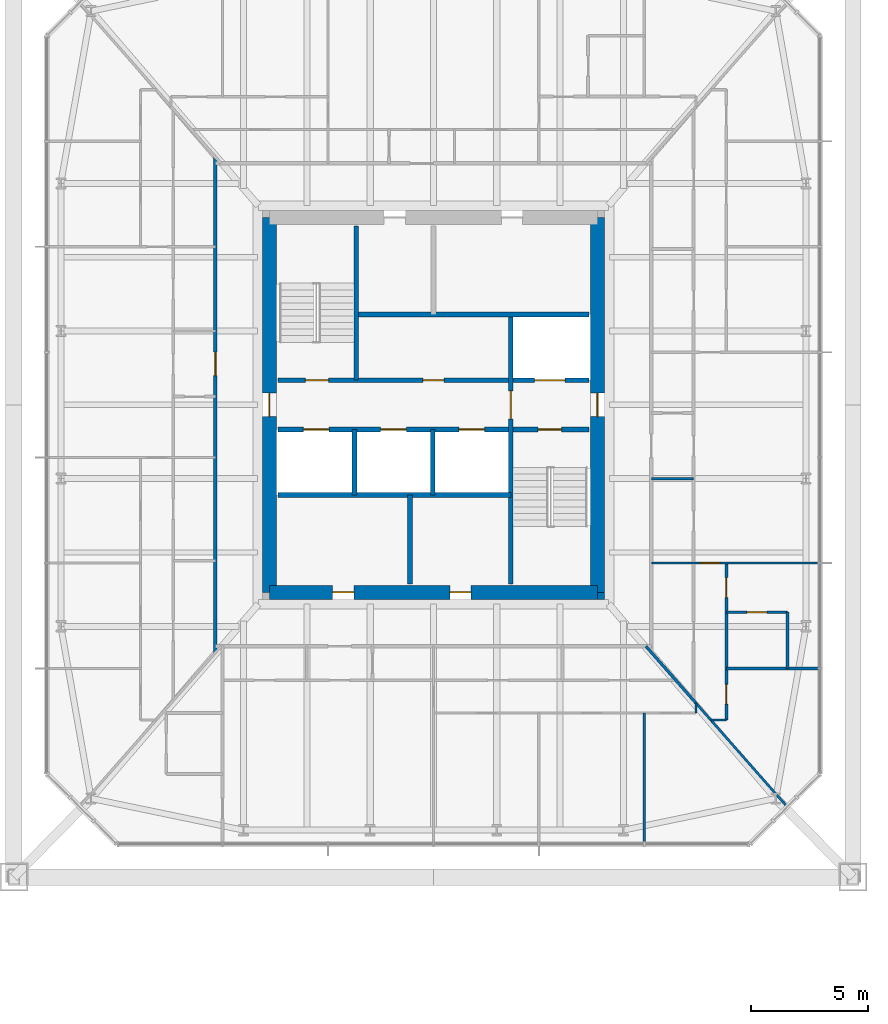
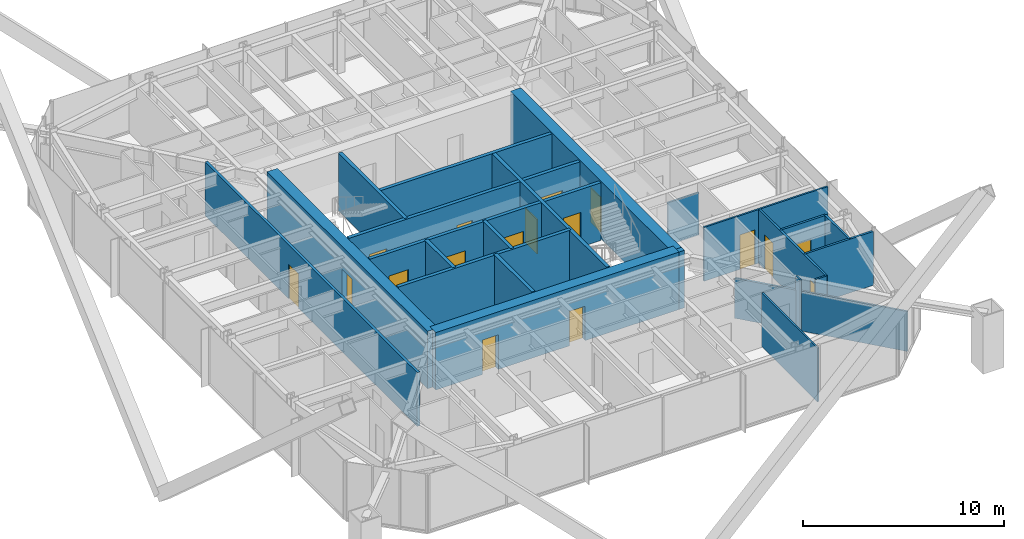
# One storey, part 20 of 27: 25 walls, 17 doors, 17 openings.
"""IFC4 building model written with IfcOpenShell, lengths in metres."""

from ifc_helpers import new_model, si_unit, direction, frame, frame_2d, origin, place, context, subcontext, project, spatial, rectangle, extrude, material, layer, layer_set, type_object, element, fill, save


model = new_model("IFC4")

# Units and contexts
model_context = context("Model", 3, precision=1e-05, world=origin(), true_north=direction((0.0, 1.0)))
body_context = subcontext(model_context, "Body", "Model", "MODEL_VIEW")
ifc_project = project(units=[si_unit("LENGTHUNIT", "METRE"), si_unit("AREAUNIT", "SQUARE_METRE"), si_unit("VOLUMEUNIT", "CUBIC_METRE"), si_unit("PLANEANGLEUNIT", "RADIAN"), si_unit("MASSUNIT", "GRAM", prefix="KILO")], contexts=[model_context])

# Site, building, storey
site_placement = place(None, origin())
site = spatial("IfcSite", under=ifc_project, at=site_placement, CompositionType="ELEMENT")
building_placement = place(site_placement, origin())
building = spatial("IfcBuilding", under=site, at=building_placement, Name="Iwan Alto Co-Living Towers", CompositionType="ELEMENT")
storey_placement = place(building_placement, frame((0.0, 0.0, 25.5)))
storey = spatial("IfcBuildingStorey", under=building, at=storey_placement, Name="L06", CompositionType="ELEMENT", Elevation=25.5)

# Wall, opening, door
ifc_material_1 = material(Name="Gypsum board")
ifc_layer_1 = layer(ifc_material_1, 0.02490234375, Name="Board", Category="Finish")
ifc_material_2 = material(Name="Steel ASTM A1003 ST33H cold-formed studs", Category="steel")
ifc_layer_2 = layer(ifc_material_2, 0.10009765625, Name="Studs", Category="Framing")
ifc_layer_3 = layer(ifc_material_1, 0.02490234375, Name="Board", Category="Finish")
ifc_layer_set_1 = layer_set([ifc_layer_1, ifc_layer_2, ifc_layer_3], Name="CORRIDOR WALL 150")
wall_type_1 = type_object("IfcWallType", Name="CORRIDOR WALL 150", PredefinedType="PARTITIONING", material=ifc_layer_set_1)
wall_1_placement = place(storey_placement, frame((53.699951171875, -10.568115234375, 0.0), z_axis=(0.0, 0.0, 1.0), x_axis=(0.0, 1.0, 0.0)))
wall_1 = element("IfcWall", 1, at=wall_1_placement, inside=storey, type_object=wall_type_1, Name="Partition L06", PredefinedType="PARTITIONING", context=body_context, shape_type="SweptSolid", body=[
    extrude(rectangle(XDim=21.13623046875, YDim=0.14990234375, at=frame_2d((10.568115234375, 0.0))), origin(), (0.0, 0.0, 1.0), 3.27001953125),
])
opening_1_placement = place(wall_1_placement, frame((11.818115234375, 0.0, 0.0)))
opening_1 = element("IfcOpeningElement", 2, at=opening_1_placement, cuts=wall_1, Name="Opening D3", PredefinedType="OPENING", context=body_context, shape_type="SweptSolid", body=[
    extrude(rectangle(XDim=1.0, YDim=2.10009765625, at=frame_2d((0.5, 1.050048828125))), frame((0.0, 0.0849609375, 0.0), z_axis=(0.0, -1.0, 0.0), x_axis=(1.0, 0.0, 0.0)), (0.0, 0.0, 1.0), 0.169921875),
])
ifc_material_3 = material(Name="Steel frame with timber leaf", Category="steel")
door_type_1 = type_object("IfcDoorType", Name="FLAT ENTRANCE DOOR FD30S 1000X2100", OperationType="SINGLE_SWING_LEFT", PredefinedType="DOOR", material=ifc_material_3)
door_1_placement = place(opening_1_placement, origin())
door_1 = element("IfcDoor", 3, at=door_1_placement, inside=storey, type_object=door_type_1, Name="Apartment foyer door L06", OperationType="SINGLE_SWING_LEFT", OverallHeight=2.10009765625, OverallWidth=1.0, PredefinedType="DOOR", context=body_context, shape_type="SweptSolid", body=[
    extrude(rectangle(XDim=1.0, YDim=2.10009765625, at=frame_2d((0.5, 1.050048828125))), frame((0.0, 0.02490234375, 0.0), z_axis=(0.0, -1.0, 0.0), x_axis=(1.0, 0.0, 0.0)), (0.0, 0.0, 1.0), 0.050048828125),
])
fill(opening_1, door_1)

# Wall
ifc_layer_4 = layer(ifc_material_1, 0.012451171875, Name="Board", Category="Finish")
ifc_layer_5 = layer(ifc_material_2, 0.074951171875, Name="Studs", Category="Framing")
ifc_layer_6 = layer(ifc_material_1, 0.012451171875, Name="Board", Category="Finish")
ifc_layer_set_2 = layer_set([ifc_layer_4, ifc_layer_5, ifc_layer_6], Name="PARTITION 100")
wall_type_2 = type_object("IfcWallType", Name="PARTITION 100", PredefinedType="PARTITIONING", material=ifc_layer_set_2)
wall_2_placement = place(storey_placement, frame((74.8359375, -13.449951171875, 0.0), z_axis=(0.0, 0.0, 1.0), x_axis=(1.0, 0.0, 0.0)))
element("IfcWall", 4, at=wall_2_placement, inside=storey, type_object=wall_type_2, Name="Partition L06", PredefinedType="PARTITIONING", context=body_context, shape_type="SweptSolid", body=[
    extrude(rectangle(XDim=0.6640625, YDim=0.10009765625, at=frame_2d((0.33203125, 0.0))), origin(), (0.0, 0.0, 1.0), 3.27001953125),
])

# Wall, opening, door
wall_3_placement = place(storey_placement, frame((72.300048828125, -6.75, 0.0), z_axis=(0.0, 0.0, 1.0), x_axis=(1.0, 0.0, 0.0)))
wall_3 = element("IfcWall", 5, at=wall_3_placement, inside=storey, type_object=wall_type_2, Name="Partition L06", PredefinedType="PARTITIONING", context=body_context, shape_type="SweptSolid", body=[
    extrude(rectangle(XDim=7.139892578125, YDim=0.10009765625, at=frame_2d((3.56982421875, 0.0))), origin(), (0.0, 0.0, 1.0), 3.27001953125),
])
opening_2_placement = place(wall_3_placement, frame((2.074951171875, 0.0, 0.0)))
opening_2 = element("IfcOpeningElement", 6, at=opening_2_placement, cuts=wall_3, Name="Opening D2", PredefinedType="OPENING", context=body_context, shape_type="SweptSolid", body=[
    extrude(rectangle(XDim=0.85009765625, YDim=2.10009765625, at=frame_2d((0.425048828125, 1.050048828125))), frame((0.0, 0.06005859375, 0.0), z_axis=(0.0, -1.0, 0.0), x_axis=(1.0, 0.0, 0.0)), (0.0, 0.0, 1.0), 0.1201171875),
])
ifc_material_4 = material(Name="Timber leaf in steel frame", Category="steel")
door_type_2 = type_object("IfcDoorType", Name="ROOM DOOR 850X2100", OperationType="SINGLE_SWING_LEFT", PredefinedType="DOOR", material=ifc_material_4)
door_2_placement = place(opening_2_placement, origin())
door_2 = element("IfcDoor", 7, at=door_2_placement, inside=storey, type_object=door_type_2, Name="Apartment hall door L06", OperationType="SINGLE_SWING_LEFT", OverallHeight=2.10009765625, OverallWidth=0.85009765625, PredefinedType="DOOR", context=body_context, shape_type="SweptSolid", body=[
    extrude(rectangle(XDim=0.85009765625, YDim=2.10009765625, at=frame_2d((0.425048828125, 1.050048828125))), frame((0.0, 0.02490234375, 0.0), z_axis=(0.0, -1.0, 0.0), x_axis=(1.0, 0.0, 0.0)), (0.0, 0.0, 1.0), 0.050048828125),
])
fill(opening_2, door_2)

# Walls
wall_4_placement = place(storey_placement, frame((72.300048828125, -3.14990234375, 0.0), z_axis=(0.0, 0.0, 1.0), x_axis=(1.0, 0.0, 0.0)))
element("IfcWall", 8, at=wall_4_placement, inside=storey, type_object=wall_type_2, Name="Partition L06", PredefinedType="PARTITIONING", context=body_context, shape_type="SweptSolid", body=[
    extrude(rectangle(XDim=1.800048828125, YDim=0.10009765625, at=frame_2d((0.89990234375, 0.0))), origin(), (0.0, 0.0, 1.0), 2.586669921875),
])
wall_5_placement = place(storey_placement, frame((74.199951171875, -13.14990234375, 0.0), z_axis=(0.0, 0.0, 1.0), x_axis=(0.0, 1.0, 0.0)))
element("IfcWall", 9, at=wall_5_placement, inside=storey, type_object=wall_type_2, Name="Partition L06", PredefinedType="PARTITIONING", context=body_context, shape_type="SweptSolid", body=[
    extrude(rectangle(XDim=0.4228515625, YDim=0.10009765625, at=frame_2d((0.21142578125, 0.0))), origin(), (0.0, 0.0, 1.0), 3.27001953125),
])
wall_6_placement = place(storey_placement, frame((72.0, -18.68994140625, 0.0), z_axis=(0.0, 0.0, 1.0), x_axis=(0.0, 1.0, 0.0)))
element("IfcWall", 10, at=wall_6_placement, inside=storey, type_object=wall_type_2, Name="Partition L06", PredefinedType="PARTITIONING", context=body_context, shape_type="SweptSolid", body=[
    extrude(rectangle(XDim=5.5400390625, YDim=0.10009765625, at=frame_2d((2.77001953125, 0.0))), origin(), (0.0, 0.0, 1.0), 3.27001953125),
])
wall_7_placement = place(storey_placement, frame((78.056884765625, -17.109130859375, 0.0), z_axis=(0.0, 0.0, 1.0), x_axis=(-0.660698595885, 0.750651294141, 0.0)))
element("IfcWall", 11, at=wall_7_placement, inside=storey, type_object=wall_type_2, Name="Partition L06", PredefinedType="PARTITIONING", context=body_context, shape_type="SweptSolid", body=[
    extrude(rectangle(XDim=5.838134765625, YDim=0.10009765625, at=frame_2d((2.9189453125, 0.0))), origin(), (0.0, 0.0, 1.0), 2.42919921875),
])
ifc_material_5 = material(Name="Concrete f'c 70 MPa", Category="concrete")
ifc_layer_7 = layer(ifc_material_5, 0.199951171875)
ifc_layer_set_3 = layer_set([ifc_layer_7], Name="SHAFT WALL 200")
wall_type_3 = type_object("IfcWallType", Name="SHAFT WALL 200", PredefinedType="SOLIDWALL", material=ifc_layer_set_3)
wall_8_placement = place(storey_placement, frame((56.360107421875, -3.85009765625, 0.0), z_axis=(0.0, 0.0, 1.0), x_axis=(1.0, 0.0, 0.0)))
element("IfcWall", 12, at=wall_8_placement, inside=storey, type_object=wall_type_3, Name="Shaft wall L06", PredefinedType="SOLIDWALL", context=body_context, shape_type="SweptSolid", body=[
    extrude(rectangle(XDim=9.93994140625, YDim=0.199951171875, at=frame_2d((4.969970703125, 0.0))), origin(), (0.0, 0.0, 1.0), 3.5),
])

# Wall, openings, doors
wall_9_placement = place(storey_placement, frame((56.360107421875, -1.050048828125, 0.0), z_axis=(0.0, 0.0, 1.0), x_axis=(1.0, 0.0, 0.0)))
wall_9 = element("IfcWall", 13, at=wall_9_placement, inside=storey, type_object=wall_type_3, Name="Shaft wall L06", PredefinedType="SOLIDWALL", context=body_context, shape_type="SweptSolid", body=[
    extrude(rectangle(XDim=13.27978515625, YDim=0.199951171875, at=frame_2d((6.639892578125, 0.0))), origin(), (0.0, 0.0, 1.0), 3.5),
])
opening_3_placement = place(wall_9_placement, frame((11.110107421875, 0.0, 0.0)))
opening_3 = element("IfcOpeningElement", 14, at=opening_3_placement, cuts=wall_9, Name="Opening D5", PredefinedType="OPENING", context=body_context, shape_type="SweptSolid", body=[
    extrude(rectangle(XDim=1.0, YDim=2.10009765625, at=frame_2d((0.5, 1.050048828125))), frame((0.0, 0.10986328125, 0.0), z_axis=(0.0, -1.0, 0.0), x_axis=(1.0, 0.0, 0.0)), (0.0, 0.0, 1.0), 0.219970703125),
])
opening_4_placement = place(wall_9_placement, frame((1.0869140625, 0.0, 0.0)))
opening_4 = element("IfcOpeningElement", 15, at=opening_4_placement, cuts=wall_9, Name="Opening LD", PredefinedType="OPENING", context=body_context, shape_type="SweptSolid", body=[
    extrude(rectangle(XDim=1.10009765625, YDim=2.10009765625, at=frame_2d((0.550048828125, 1.050048828125))), frame((0.0, 0.10986328125, 0.0), z_axis=(0.0, -1.0, 0.0), x_axis=(1.0, 0.0, 0.0)), (0.0, 0.0, 1.0), 0.219970703125),
])
opening_5_placement = place(wall_9_placement, frame((4.389892578125, 0.0, 0.0)))
opening_5 = element("IfcOpeningElement", 16, at=opening_5_placement, cuts=wall_9, Name="Opening LD", PredefinedType="OPENING", context=body_context, shape_type="SweptSolid", body=[
    extrude(rectangle(XDim=1.10009765625, YDim=2.10009765625, at=frame_2d((0.550048828125, 1.050048828125))), frame((0.0, 0.10986328125, 0.0), z_axis=(0.0, -1.0, 0.0), x_axis=(1.0, 0.0, 0.0)), (0.0, 0.0, 1.0), 0.219970703125),
])
opening_6_placement = place(wall_9_placement, frame((7.72412109375, 0.0, 0.0)))
opening_6 = element("IfcOpeningElement", 17, at=opening_6_placement, cuts=wall_9, Name="Opening LD", PredefinedType="OPENING", context=body_context, shape_type="SweptSolid", body=[
    extrude(rectangle(XDim=1.10009765625, YDim=2.10009765625, at=frame_2d((0.550048828125, 1.050048828125))), frame((0.0, 0.10986328125, 0.0), z_axis=(0.0, -1.0, 0.0), x_axis=(1.0, 0.0, 0.0)), (0.0, 0.0, 1.0), 0.219970703125),
])
ifc_material_6 = material(Name="Steel frame with timber leaf", Category="steel")
door_type_3 = type_object("IfcDoorType", Name="LIFT LANDING DOOR 1100X2100", OperationType="DOUBLE_DOOR_SLIDING", PredefinedType="DOOR", material=ifc_material_6)
door_3_placement = place(opening_4_placement, origin())
door_3 = element("IfcDoor", 18, at=door_3_placement, inside=storey, type_object=door_type_3, Name="Lift P5-1 landing door L06", OperationType="DOUBLE_DOOR_SLIDING", OverallHeight=2.10009765625, OverallWidth=1.10009765625, PredefinedType="DOOR", context=body_context, shape_type="SweptSolid", body=[
    extrude(rectangle(XDim=1.10009765625, YDim=2.10009765625, at=frame_2d((0.550048828125, 1.050048828125))), frame((0.0, 0.02490234375, 0.0), z_axis=(0.0, -1.0, 0.0), x_axis=(1.0, 0.0, 0.0)), (0.0, 0.0, 1.0), 0.050048828125),
])
fill(opening_4, door_3)
door_4_placement = place(opening_5_placement, origin())
door_4 = element("IfcDoor", 19, at=door_4_placement, inside=storey, type_object=door_type_3, Name="Lift P5-2 landing door L06", OperationType="DOUBLE_DOOR_SLIDING", OverallHeight=2.10009765625, OverallWidth=1.10009765625, PredefinedType="DOOR", context=body_context, shape_type="SweptSolid", body=[
    extrude(rectangle(XDim=1.10009765625, YDim=2.10009765625, at=frame_2d((0.550048828125, 1.050048828125))), frame((0.0, 0.02490234375, 0.0), z_axis=(0.0, -1.0, 0.0), x_axis=(1.0, 0.0, 0.0)), (0.0, 0.0, 1.0), 0.050048828125),
])
fill(opening_5, door_4)
door_5_placement = place(opening_6_placement, origin())
door_5 = element("IfcDoor", 20, at=door_5_placement, inside=storey, type_object=door_type_3, Name="Lift P6-3 landing door L06", OperationType="DOUBLE_DOOR_SLIDING", OverallHeight=2.10009765625, OverallWidth=1.10009765625, PredefinedType="DOOR", context=body_context, shape_type="SweptSolid", body=[
    extrude(rectangle(XDim=1.10009765625, YDim=2.10009765625, at=frame_2d((0.550048828125, 1.050048828125))), frame((0.0, 0.02490234375, 0.0), z_axis=(0.0, -1.0, 0.0), x_axis=(1.0, 0.0, 0.0)), (0.0, 0.0, 1.0), 0.050048828125),
])
fill(opening_6, door_5)
ifc_material_7 = material(Name="Steel frame with timber leaf", Category="steel")
door_type_4 = type_object("IfcDoorType", Name="STAIR DOOR FD120S 1000X2100", OperationType="SINGLE_SWING_LEFT", PredefinedType="DOOR", material=ifc_material_7)
door_6_placement = place(opening_3_placement, frame((1.0, 0.0, 0.0), z_axis=(0.0, 0.0, 1.0), x_axis=(-1.0, 0.0, 0.0)))
door_6 = element("IfcDoor", 21, at=door_6_placement, inside=storey, type_object=door_type_4, Name="Stair S2 door L06", OperationType="SINGLE_SWING_RIGHT", OverallHeight=2.10009765625, OverallWidth=1.0, PredefinedType="DOOR", context=body_context, shape_type="SweptSolid", body=[
    extrude(rectangle(XDim=1.0, YDim=2.10009765625, at=frame_2d((0.5, 1.050048828125))), frame((0.0, 0.02490234375, 0.0), z_axis=(0.0, -1.0, 0.0), x_axis=(1.0, 0.0, 0.0)), (0.0, 0.0, 1.0), 0.050048828125),
])
fill(opening_3, door_6)

wall_10_placement = place(storey_placement, frame((56.360107421875, 1.050048828125, 0.0), z_axis=(0.0, 0.0, 1.0), x_axis=(1.0, 0.0, 0.0)))
wall_10 = element("IfcWall", 22, at=wall_10_placement, inside=storey, type_object=wall_type_3, Name="Shaft wall L06", PredefinedType="SOLIDWALL", context=body_context, shape_type="SweptSolid", body=[
    extrude(rectangle(XDim=13.27978515625, YDim=0.199951171875, at=frame_2d((6.639892578125, 0.0))), origin(), (0.0, 0.0, 1.0), 3.5),
])
opening_7_placement = place(wall_10_placement, frame((1.169921875, 0.0, 0.0)))
opening_7 = element("IfcOpeningElement", 23, at=opening_7_placement, cuts=wall_10, Name="Opening D5", PredefinedType="OPENING", context=body_context, shape_type="SweptSolid", body=[
    extrude(rectangle(XDim=1.0, YDim=2.10009765625, at=frame_2d((0.5, 1.050048828125))), frame((0.0, 0.10986328125, 0.0), z_axis=(0.0, -1.0, 0.0), x_axis=(1.0, 0.0, 0.0)), (0.0, 0.0, 1.0), 0.219970703125),
])
opening_8_placement = place(wall_10_placement, frame((6.18994140625, 0.0, 0.0)))
opening_8 = element("IfcOpeningElement", 24, at=opening_8_placement, cuts=wall_10, Name="Opening D8", PredefinedType="OPENING", context=body_context, shape_type="SweptSolid", body=[
    extrude(rectangle(XDim=0.89990234375, YDim=2.10009765625, at=frame_2d((0.449951171875, 1.050048828125))), frame((0.0, 0.10986328125, 0.0), z_axis=(0.0, -1.0, 0.0), x_axis=(1.0, 0.0, 0.0)), (0.0, 0.0, 1.0), 0.219970703125),
])
opening_9_placement = place(wall_10_placement, frame((10.9599609375, 0.0, 0.0)))
opening_9 = element("IfcOpeningElement", 25, at=opening_9_placement, cuts=wall_10, Name="Opening LD2", PredefinedType="OPENING", context=body_context, shape_type="SweptSolid", body=[
    extrude(rectangle(XDim=1.300048828125, YDim=2.10009765625, at=frame_2d((0.64990234375, 1.050048828125))), frame((0.0, 0.10986328125, 0.0), z_axis=(0.0, -1.0, 0.0), x_axis=(1.0, 0.0, 0.0)), (0.0, 0.0, 1.0), 0.219970703125),
])
ifc_material_8 = material(Name="Steel frame with timber leaf", Category="steel")
door_type_5 = type_object("IfcDoorType", Name="LIFT LANDING DOOR 1300X2100", OperationType="SLIDING_TO_LEFT", PredefinedType="DOOR", material=ifc_material_8)
door_7_placement = place(opening_9_placement, origin())
door_7 = element("IfcDoor", 26, at=door_7_placement, inside=storey, type_object=door_type_5, Name="Lift FL2 landing door L06", OperationType="SLIDING_TO_LEFT", OverallHeight=2.10009765625, OverallWidth=1.300048828125, PredefinedType="DOOR", context=body_context, shape_type="SweptSolid", body=[
    extrude(rectangle(XDim=1.300048828125, YDim=2.10009765625, at=frame_2d((0.64990234375, 1.050048828125))), frame((0.0, 0.02490234375, 0.0), z_axis=(0.0, -1.0, 0.0), x_axis=(1.0, 0.0, 0.0)), (0.0, 0.0, 1.0), 0.050048828125),
])
fill(opening_9, door_7)
ifc_material_9 = material(Name="Steel frame with timber leaf", Category="steel")
door_type_6 = type_object("IfcDoorType", Name="RISER DOOR FD120 900X2100", OperationType="SINGLE_SWING_LEFT", PredefinedType="DOOR", material=ifc_material_9)
door_8_placement = place(opening_8_placement, origin())
door_8 = element("IfcDoor", 27, at=door_8_placement, inside=storey, type_object=door_type_6, Name="Riser room door L06", OperationType="SINGLE_SWING_LEFT", OverallHeight=2.10009765625, OverallWidth=0.89990234375, PredefinedType="DOOR", context=body_context, shape_type="SweptSolid", body=[
    extrude(rectangle(XDim=0.89990234375, YDim=2.10009765625, at=frame_2d((0.449951171875, 1.050048828125))), frame((0.0, 0.02490234375, 0.0), z_axis=(0.0, -1.0, 0.0), x_axis=(1.0, 0.0, 0.0)), (0.0, 0.0, 1.0), 0.050048828125),
])
fill(opening_8, door_8)
door_9_placement = place(opening_7_placement, origin())
door_9 = element("IfcDoor", 28, at=door_9_placement, inside=storey, type_object=door_type_4, Name="Stair S1 door L06", OperationType="SINGLE_SWING_RIGHT", OverallHeight=2.10009765625, OverallWidth=1.0, PredefinedType="DOOR", context=body_context, shape_type="SweptSolid", body=[
    extrude(rectangle(XDim=1.0, YDim=2.10009765625, at=frame_2d((0.5, 1.050048828125))), frame((0.0, 0.02490234375, 0.0), z_axis=(0.0, -1.0, 0.0), x_axis=(1.0, 0.0, 0.0)), (0.0, 0.0, 1.0), 0.050048828125),
])
fill(opening_7, door_9)

# Wall
wall_11_placement = place(storey_placement, frame((59.699951171875, 3.85009765625, 0.0), z_axis=(0.0, 0.0, 1.0), x_axis=(1.0, 0.0, 0.0)))
element("IfcWall", 29, at=wall_11_placement, inside=storey, type_object=wall_type_3, Name="Shaft wall L06", PredefinedType="SOLIDWALL", context=body_context, shape_type="SweptSolid", body=[
    extrude(rectangle(XDim=9.93994140625, YDim=0.199951171875, at=frame_2d((4.969970703125, 0.0))), origin(), (0.0, 0.0, 1.0), 3.5),
])

# Wall, opening, door
wall_12_placement = place(storey_placement, frame((66.300048828125, -7.639892578125, 0.0), z_axis=(0.0, 0.0, 1.0), x_axis=(0.0, 1.0, 0.0)))
wall_12 = element("IfcWall", 30, at=wall_12_placement, inside=storey, type_object=wall_type_3, Name="Shaft wall L06", PredefinedType="SOLIDWALL", context=body_context, shape_type="SweptSolid", body=[
    extrude(rectangle(XDim=11.489990234375, YDim=0.199951171875, at=frame_2d((5.7451171875, 0.0))), origin(), (0.0, 0.0, 1.0), 3.5),
])
opening_10_placement = place(wall_12_placement, frame((7.0400390625, 0.0, 0.0)))
opening_10 = element("IfcOpeningElement", 31, at=opening_10_placement, cuts=wall_12, Name="Opening D6", PredefinedType="OPENING", context=body_context, shape_type="SweptSolid", body=[
    extrude(rectangle(XDim=1.199951171875, YDim=2.10009765625, at=frame_2d((0.60009765625, 1.050048828125))), frame((0.0, 0.10986328125, 0.0), z_axis=(0.0, -1.0, 0.0), x_axis=(1.0, 0.0, 0.0)), (0.0, 0.0, 1.0), 0.219970703125),
])
ifc_material_10 = material(Name="Steel frame with timber leaf", Category="steel")
door_type_7 = type_object("IfcDoorType", Name="LOBBY DOOR FD120S 1200X2100", OperationType="SINGLE_SWING_LEFT", PredefinedType="DOOR", material=ifc_material_10)
door_10_placement = place(opening_10_placement, frame((1.199951171875, 0.0, 0.0), z_axis=(0.0, 0.0, 1.0), x_axis=(-1.0, 0.0, 0.0)))
door_10 = element("IfcDoor", 32, at=door_10_placement, inside=storey, type_object=door_type_7, Name="Firefighting lobby door L06", OperationType="SINGLE_SWING_RIGHT", OverallHeight=2.10009765625, OverallWidth=1.199951171875, PredefinedType="DOOR", context=body_context, shape_type="SweptSolid", body=[
    extrude(rectangle(XDim=1.199951171875, YDim=2.10009765625, at=frame_2d((0.60009765625, 1.050048828125))), frame((0.0, 0.02490234375, 0.0), z_axis=(0.0, -1.0, 0.0), x_axis=(1.0, 0.0, 0.0)), (0.0, 0.0, 1.0), 0.050048828125),
])
fill(opening_10, door_10)

# Walls
wall_13_placement = place(storey_placement, frame((62.967041015625, -3.85009765625, 0.0), z_axis=(0.0, 0.0, 1.0), x_axis=(0.0, 1.0, 0.0)))
element("IfcWall", 33, at=wall_13_placement, inside=storey, type_object=wall_type_3, Name="Shaft wall L06", PredefinedType="SOLIDWALL", context=body_context, shape_type="SweptSolid", body=[
    extrude(rectangle(XDim=2.800048828125, YDim=0.199951171875, at=frame_2d((1.39990234375, 0.0))), origin(), (0.0, 0.0, 1.0), 3.5),
])
wall_14_placement = place(storey_placement, frame((62.0, -7.639892578125, 0.0), z_axis=(0.0, 0.0, 1.0), x_axis=(0.0, 1.0, 0.0)))
element("IfcWall", 34, at=wall_14_placement, inside=storey, type_object=wall_type_3, Name="Shaft wall L06", PredefinedType="SOLIDWALL", context=body_context, shape_type="SweptSolid", body=[
    extrude(rectangle(XDim=3.789794921875, YDim=0.199951171875, at=frame_2d((1.89501953125, 0.0))), origin(), (0.0, 0.0, 1.0), 3.5),
])
wall_15_placement = place(storey_placement, frame((59.699951171875, 1.050048828125, 0.0), z_axis=(0.0, 0.0, 1.0), x_axis=(0.0, 1.0, 0.0)))
element("IfcWall", 35, at=wall_15_placement, inside=storey, type_object=wall_type_3, Name="Shaft wall L06", PredefinedType="SOLIDWALL", context=body_context, shape_type="SweptSolid", body=[
    extrude(rectangle(XDim=6.58984375, YDim=0.199951171875, at=frame_2d((3.294921875, 0.0))), origin(), (0.0, 0.0, 1.0), 3.5),
])
wall_16_placement = place(storey_placement, frame((59.633056640625, -3.85009765625, 0.0), z_axis=(0.0, 0.0, 1.0), x_axis=(0.0, 1.0, 0.0)))
element("IfcWall", 36, at=wall_16_placement, inside=storey, type_object=wall_type_3, Name="Shaft wall L06", PredefinedType="SOLIDWALL", context=body_context, shape_type="SweptSolid", body=[
    extrude(rectangle(XDim=2.800048828125, YDim=0.199951171875, at=frame_2d((1.39990234375, 0.0))), origin(), (0.0, 0.0, 1.0), 3.5),
])
ifc_material_11 = material(Name="Concrete f'c 70 MPa", Category="concrete")
ifc_layer_8 = layer(ifc_material_11, 0.300048828125)
ifc_layer_set_4 = layer_set([ifc_layer_8], Name="T2 CORE CORNER FILL 300")
wall_type_4 = type_object("IfcWallType", Name="T2 CORE CORNER FILL 300", PredefinedType="SOLIDWALL", material=ifc_layer_set_4)
wall_17_placement = place(storey_placement, frame((70.0, -8.14990234375, 0.0), z_axis=(0.0, 0.0, 1.0), x_axis=(1.0, 0.0, 0.0)))
element("IfcWall", 37, at=wall_17_placement, inside=storey, type_object=wall_type_4, Name="T2 core corner SE L06", PredefinedType="SOLIDWALL", context=body_context, shape_type="SweptSolid", body=[
    extrude(rectangle(XDim=0.300048828125, YDim=0.300048828125, at=frame_2d((0.14990234375, 0.0))), origin(), (0.0, 0.0, 1.0), 3.5),
])

# Wall, openings, doors
ifc_material_12 = material(Name="Concrete f'c 70 MPa", Category="concrete")
ifc_layer_9 = layer(ifc_material_12, 0.60009765625)
ifc_layer_set_5 = layer_set([ifc_layer_9], Name="T2 CORE WALL 600")
wall_type_5 = type_object("IfcWallType", Name="T2 CORE WALL 600", PredefinedType="SHEAR", material=ifc_layer_set_5)
wall_18_placement = place(storey_placement, frame((56.0, -8.0, 0.0), z_axis=(0.0, 0.0, 1.0), x_axis=(1.0, 0.0, 0.0)))
wall_18 = element("IfcWall", 38, at=wall_18_placement, inside=storey, type_object=wall_type_5, Name="T2 core wall S L06", PredefinedType="SHEAR", context=body_context, shape_type="SweptSolid", body=[
    extrude(rectangle(XDim=14.0, YDim=0.60009765625, at=frame_2d((7.0, 0.0))), origin(), (0.0, 0.0, 1.0), 3.5),
])
opening_11_placement = place(wall_18_placement, frame((2.699951171875, 0.0, 0.0)))
opening_11 = element("IfcOpeningElement", 39, at=opening_11_placement, cuts=wall_18, Name="Opening D8", PredefinedType="OPENING", context=body_context, shape_type="SweptSolid", body=[
    extrude(rectangle(XDim=0.89990234375, YDim=2.10009765625, at=frame_2d((0.449951171875, 1.050048828125))), frame((0.0, 0.31005859375, 0.0), z_axis=(0.0, -1.0, 0.0), x_axis=(1.0, 0.0, 0.0)), (0.0, 0.0, 1.0), 0.6201171875),
])
opening_12_placement = place(wall_18_placement, frame((7.699951171875, 0.0, 0.0)))
opening_12 = element("IfcOpeningElement", 40, at=opening_12_placement, cuts=wall_18, Name="Opening D8", PredefinedType="OPENING", context=body_context, shape_type="SweptSolid", body=[
    extrude(rectangle(XDim=0.89990234375, YDim=2.10009765625, at=frame_2d((0.449951171875, 1.050048828125))), frame((0.0, 0.31005859375, 0.0), z_axis=(0.0, -1.0, 0.0), x_axis=(1.0, 0.0, 0.0)), (0.0, 0.0, 1.0), 0.6201171875),
])
door_11_placement = place(opening_11_placement, origin())
door_11 = element("IfcDoor", 41, at=door_11_placement, inside=storey, type_object=door_type_6, Name="Refuse room core door L06", OperationType="SINGLE_SWING_LEFT", OverallHeight=2.10009765625, OverallWidth=0.89990234375, PredefinedType="DOOR", context=body_context, shape_type="SweptSolid", body=[
    extrude(rectangle(XDim=0.89990234375, YDim=2.10009765625, at=frame_2d((0.449951171875, 1.050048828125))), frame((0.0, 0.02490234375, 0.0), z_axis=(0.0, -1.0, 0.0), x_axis=(1.0, 0.0, 0.0)), (0.0, 0.0, 1.0), 0.050048828125),
])
fill(opening_11, door_11)
door_12_placement = place(opening_12_placement, origin())
door_12 = element("IfcDoor", 42, at=door_12_placement, inside=storey, type_object=door_type_6, Name="Telecom riser core door L06", OperationType="SINGLE_SWING_LEFT", OverallHeight=2.10009765625, OverallWidth=0.89990234375, PredefinedType="DOOR", context=body_context, shape_type="SweptSolid", body=[
    extrude(rectangle(XDim=0.89990234375, YDim=2.10009765625, at=frame_2d((0.449951171875, 1.050048828125))), frame((0.0, 0.02490234375, 0.0), z_axis=(0.0, -1.0, 0.0), x_axis=(1.0, 0.0, 0.0)), (0.0, 0.0, 1.0), 0.050048828125),
])
fill(opening_12, door_12)

# Wall, opening, door
wall_19_placement = place(storey_placement, frame((70.0, -8.0, 0.0), z_axis=(0.0, 0.0, 1.0), x_axis=(0.0, 1.0, 0.0)))
wall_19 = element("IfcWall", 43, at=wall_19_placement, inside=storey, type_object=wall_type_5, Name="T2 core wall E L06", PredefinedType="SHEAR", context=body_context, shape_type="SweptSolid", body=[
    extrude(rectangle(XDim=16.0, YDim=0.60009765625, at=frame_2d((8.0, 0.0))), origin(), (0.0, 0.0, 1.0), 3.5),
])
opening_13_placement = place(wall_19_placement, frame((7.5, 0.0, 0.0)))
opening_13 = element("IfcOpeningElement", 44, at=opening_13_placement, cuts=wall_19, Name="Opening D7", PredefinedType="OPENING", context=body_context, shape_type="SweptSolid", body=[
    extrude(rectangle(XDim=1.0, YDim=2.10009765625, at=frame_2d((0.5, 1.050048828125))), frame((0.0, 0.31005859375, 0.0), z_axis=(0.0, -1.0, 0.0), x_axis=(1.0, 0.0, 0.0)), (0.0, 0.0, 1.0), 0.6201171875),
])
ifc_material_13 = material(Name="Steel frame with timber leaf", Category="steel")
door_type_8 = type_object("IfcDoorType", Name="CORE DOOR FD120S 1000X2100", OperationType="SINGLE_SWING_LEFT", PredefinedType="DOOR", material=ifc_material_13)
door_13_placement = place(opening_13_placement, origin())
door_13 = element("IfcDoor", 45, at=door_13_placement, inside=storey, type_object=door_type_8, Name="Firefighting lobby core door L06", OperationType="SINGLE_SWING_LEFT", OverallHeight=2.10009765625, OverallWidth=1.0, PredefinedType="DOOR", context=body_context, shape_type="SweptSolid", body=[
    extrude(rectangle(XDim=1.0, YDim=2.10009765625, at=frame_2d((0.5, 1.050048828125))), frame((0.0, 0.02490234375, 0.0), z_axis=(0.0, -1.0, 0.0), x_axis=(1.0, 0.0, 0.0)), (0.0, 0.0, 1.0), 0.050048828125),
])
fill(opening_13, door_13)

wall_20_placement = place(storey_placement, frame((56.0, 8.0, 0.0), z_axis=(0.0, 0.0, 1.0), x_axis=(0.0, -1.0, 0.0)))
wall_20 = element("IfcWall", 46, at=wall_20_placement, inside=storey, type_object=wall_type_5, Name="T2 core wall W L06", PredefinedType="SHEAR", context=body_context, shape_type="SweptSolid", body=[
    extrude(rectangle(XDim=16.0, YDim=0.60009765625, at=frame_2d((8.0, 0.0))), origin(), (0.0, 0.0, 1.0), 3.5),
])
opening_14_placement = place(wall_20_placement, frame((7.5, 0.0, 0.0)))
opening_14 = element("IfcOpeningElement", 47, at=opening_14_placement, cuts=wall_20, Name="Opening D7", PredefinedType="OPENING", context=body_context, shape_type="SweptSolid", body=[
    extrude(rectangle(XDim=1.0, YDim=2.10009765625, at=frame_2d((0.5, 1.050048828125))), frame((0.0, 0.31005859375, 0.0), z_axis=(0.0, -1.0, 0.0), x_axis=(1.0, 0.0, 0.0)), (0.0, 0.0, 1.0), 0.6201171875),
])
door_14_placement = place(opening_14_placement, origin())
door_14 = element("IfcDoor", 48, at=door_14_placement, inside=storey, type_object=door_type_8, Name="Lift lobby core door L06", OperationType="SINGLE_SWING_RIGHT", OverallHeight=2.10009765625, OverallWidth=1.0, PredefinedType="DOOR", context=body_context, shape_type="SweptSolid", body=[
    extrude(rectangle(XDim=1.0, YDim=2.10009765625, at=frame_2d((0.5, 1.050048828125))), frame((0.0, 0.02490234375, 0.0), z_axis=(0.0, -1.0, 0.0), x_axis=(1.0, 0.0, 0.0)), (0.0, 0.0, 1.0), 0.050048828125),
])
fill(opening_14, door_14)

# Wall
ifc_material_14 = material(Name="Cement board")
ifc_layer_10 = layer(ifc_material_14, 0.012451171875, Name="Board", Category="Finish")
ifc_layer_11 = layer(ifc_material_2, 0.094970703125, Name="Studs", Category="Framing")
ifc_layer_12 = layer(ifc_material_14, 0.012451171875, Name="Board", Category="Finish")
ifc_layer_set_6 = layer_set([ifc_layer_10, ifc_layer_11, ifc_layer_12], Name="WET AREA PARTITION 120")
wall_type_6 = type_object("IfcWallType", Name="WET AREA PARTITION 120", PredefinedType="PARTITIONING", material=ifc_layer_set_6)
wall_21_placement = place(storey_placement, frame((75.5, -11.25, 0.0), z_axis=(0.0, 0.0, 1.0), x_axis=(1.0, 0.0, 0.0)))
element("IfcWall", 49, at=wall_21_placement, inside=storey, type_object=wall_type_6, Name="Partition L06", PredefinedType="PARTITIONING", context=body_context, shape_type="SweptSolid", body=[
    extrude(rectangle(XDim=3.93994140625, YDim=0.1201171875, at=frame_2d((1.969970703125, 0.0))), origin(), (0.0, 0.0, 1.0), 3.27001953125),
])

# Wall, opening, door
wall_22_placement = place(storey_placement, frame((75.5, -8.85009765625, 0.0), z_axis=(0.0, 0.0, 1.0), x_axis=(1.0, 0.0, 0.0)))
wall_22 = element("IfcWall", 50, at=wall_22_placement, inside=storey, type_object=wall_type_6, Name="Partition L06", PredefinedType="PARTITIONING", context=body_context, shape_type="SweptSolid", body=[
    extrude(rectangle(XDim=2.60009765625, YDim=0.1201171875, at=frame_2d((1.300048828125, 0.0))), origin(), (0.0, 0.0, 1.0), 3.27001953125),
])
opening_15_placement = place(wall_22_placement, frame((0.875, 0.0, 0.0)))
opening_15 = element("IfcOpeningElement", 51, at=opening_15_placement, cuts=wall_22, Name="Opening D2", PredefinedType="OPENING", context=body_context, shape_type="SweptSolid", body=[
    extrude(rectangle(XDim=0.85009765625, YDim=2.10009765625, at=frame_2d((0.425048828125, 1.050048828125))), frame((0.0, 0.070068359375, 0.0), z_axis=(0.0, -1.0, 0.0), x_axis=(1.0, 0.0, 0.0)), (0.0, 0.0, 1.0), 0.14013671875),
])
door_15_placement = place(opening_15_placement, origin())
door_15 = element("IfcDoor", 52, at=door_15_placement, inside=storey, type_object=door_type_2, Name="En-suite shower room door L06", OperationType="SINGLE_SWING_LEFT", OverallHeight=2.10009765625, OverallWidth=0.85009765625, PredefinedType="DOOR", context=body_context, shape_type="SweptSolid", body=[
    extrude(rectangle(XDim=0.85009765625, YDim=2.10009765625, at=frame_2d((0.425048828125, 1.050048828125))), frame((0.0, 0.02490234375, 0.0), z_axis=(0.0, -1.0, 0.0), x_axis=(1.0, 0.0, 0.0)), (0.0, 0.0, 1.0), 0.050048828125),
])
fill(opening_15, door_15)

# Wall
wall_23_placement = place(storey_placement, frame((78.10009765625, -11.25, 0.0), z_axis=(0.0, 0.0, 1.0), x_axis=(0.0, 1.0, 0.0)))
element("IfcWall", 53, at=wall_23_placement, inside=storey, type_object=wall_type_6, Name="Partition L06", PredefinedType="PARTITIONING", context=body_context, shape_type="SweptSolid", body=[
    extrude(rectangle(XDim=2.39990234375, YDim=0.1201171875, at=frame_2d((1.199951171875, 0.0))), origin(), (0.0, 0.0, 1.0), 3.27001953125),
])

# Wall, openings, doors
wall_24_placement = place(storey_placement, frame((75.5, -13.449951171875, 0.0), z_axis=(0.0, 0.0, 1.0), x_axis=(0.0, 1.0, 0.0)))
wall_24 = element("IfcWall", 54, at=wall_24_placement, inside=storey, type_object=wall_type_6, Name="Partition L06", PredefinedType="PARTITIONING", context=body_context, shape_type="SweptSolid", body=[
    extrude(rectangle(XDim=6.699951171875, YDim=0.1201171875, at=frame_2d((3.35009765625, 0.0))), origin(), (0.0, 0.0, 1.0), 3.27001953125),
])
opening_16_placement = place(wall_24_placement, frame((5.22509765625, 0.0, 0.0)))
opening_16 = element("IfcOpeningElement", 55, at=opening_16_placement, cuts=wall_24, Name="Opening D2", PredefinedType="OPENING", context=body_context, shape_type="SweptSolid", body=[
    extrude(rectangle(XDim=0.85009765625, YDim=2.10009765625, at=frame_2d((0.425048828125, 1.050048828125))), frame((0.0, 0.070068359375, 0.0), z_axis=(0.0, -1.0, 0.0), x_axis=(1.0, 0.0, 0.0)), (0.0, 0.0, 1.0), 0.14013671875),
])
opening_17_placement = place(wall_24_placement, frame((0.675048828125, 0.0, 0.0)))
opening_17 = element("IfcOpeningElement", 56, at=opening_17_placement, cuts=wall_24, Name="Opening D2", PredefinedType="OPENING", context=body_context, shape_type="SweptSolid", body=[
    extrude(rectangle(XDim=0.85009765625, YDim=2.10009765625, at=frame_2d((0.425048828125, 1.050048828125))), frame((0.0, 0.070068359375, 0.0), z_axis=(0.0, -1.0, 0.0), x_axis=(1.0, 0.0, 0.0)), (0.0, 0.0, 1.0), 0.14013671875),
])
door_16_placement = place(opening_16_placement, frame((0.85009765625, 0.0, 0.0), z_axis=(0.0, 0.0, 1.0), x_axis=(-1.0, 0.0, 0.0)))
door_16 = element("IfcDoor", 57, at=door_16_placement, inside=storey, type_object=door_type_2, Name="Bedroom door L06", OperationType="SINGLE_SWING_RIGHT", OverallHeight=2.10009765625, OverallWidth=0.85009765625, PredefinedType="DOOR", context=body_context, shape_type="SweptSolid", body=[
    extrude(rectangle(XDim=0.85009765625, YDim=2.10009765625, at=frame_2d((0.425048828125, 1.050048828125))), frame((0.0, 0.02490234375, 0.0), z_axis=(0.0, -1.0, 0.0), x_axis=(1.0, 0.0, 0.0)), (0.0, 0.0, 1.0), 0.050048828125),
])
fill(opening_16, door_16)
door_17_placement = place(opening_17_placement, frame((0.85009765625, 0.0, 0.0), z_axis=(0.0, 0.0, 1.0), x_axis=(-1.0, 0.0, 0.0)))
door_17 = element("IfcDoor", 58, at=door_17_placement, inside=storey, type_object=door_type_2, Name="Bedroom door L06", OperationType="SINGLE_SWING_LEFT", OverallHeight=2.10009765625, OverallWidth=0.85009765625, PredefinedType="DOOR", context=body_context, shape_type="SweptSolid", body=[
    extrude(rectangle(XDim=0.85009765625, YDim=2.10009765625, at=frame_2d((0.425048828125, 1.050048828125))), frame((0.0, 0.02490234375, 0.0), z_axis=(0.0, -1.0, 0.0), x_axis=(1.0, 0.0, 0.0)), (0.0, 0.0, 1.0), 0.050048828125),
])
fill(opening_17, door_17)

# Wall
wall_25_placement = place(storey_placement, frame((74.199951171875, -12.72705078125, 0.0), z_axis=(0.0, 0.0, 1.0), x_axis=(-0.660667046586, 0.75067906162, 0.0)))
element("IfcWall", 59, at=wall_25_placement, inside=storey, type_object=wall_type_6, Name="Partition L06", PredefinedType="PARTITIONING", context=body_context, shape_type="SweptSolid", body=[
    extrude(rectangle(XDim=3.233154296875, YDim=0.1201171875, at=frame_2d((1.61669921875, 0.0))), origin(), (0.0, 0.0, 1.0), 2.42919921875),
])

save(model, "model.ifc")
